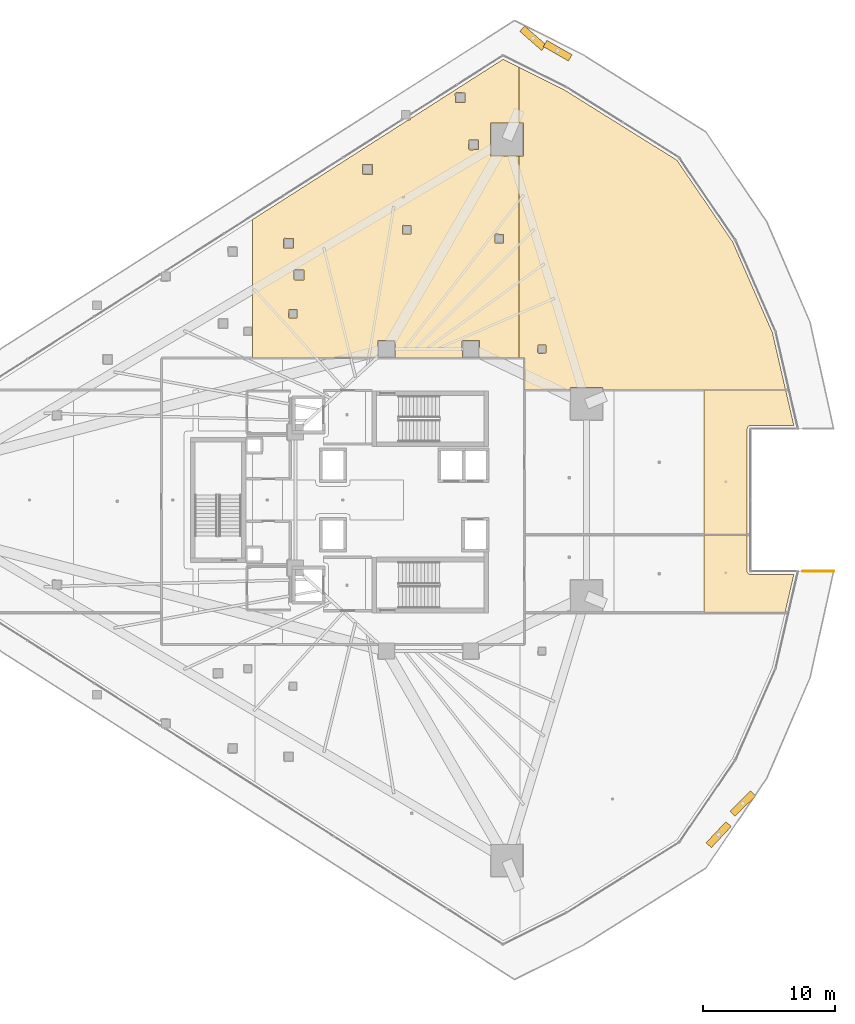
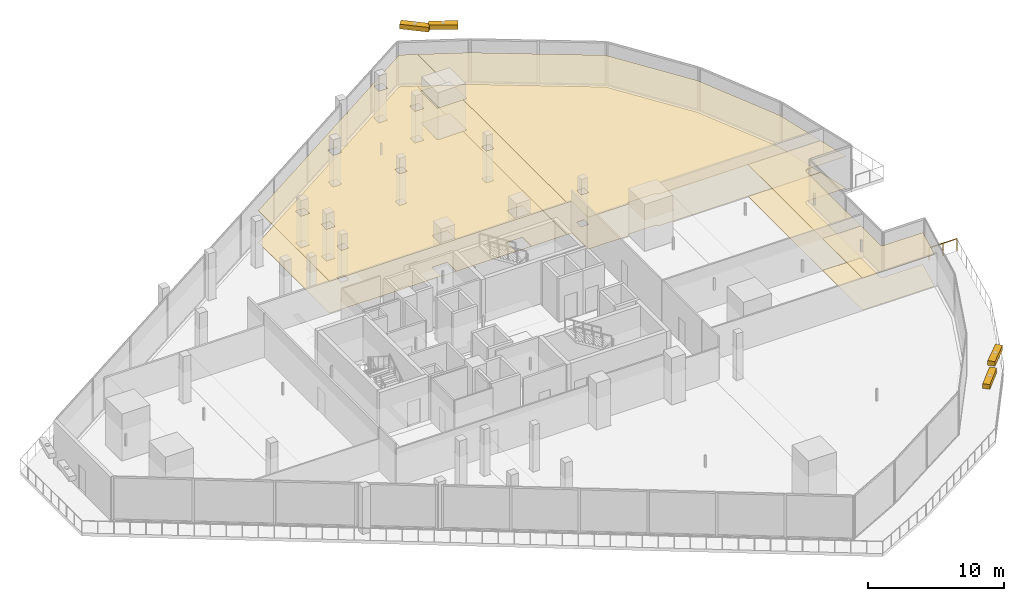
# One storey, part 42 of 42: 8 coverings, 4 shading devices, 1 railing.
"""IFC4 building model written with IfcOpenShell, lengths in metres."""

from ifc_helpers import new_model, si_unit, direction, frame, origin, origin_2d, place, context, subcontext, project, spatial, polyline, rectangle, circle, outline, extrude, material, layer, layer_set, type_object, element, save


model = new_model("IFC4")

# Units and contexts
model_context = context("Model", 3, precision=1e-05, world=origin(), true_north=direction((0.0, 1.0)))
body_context = subcontext(model_context, "Body", "Model", "MODEL_VIEW")
ifc_project = project(units=[si_unit("LENGTHUNIT", "METRE"), si_unit("AREAUNIT", "SQUARE_METRE"), si_unit("VOLUMEUNIT", "CUBIC_METRE"), si_unit("PLANEANGLEUNIT", "RADIAN"), si_unit("MASSUNIT", "GRAM", prefix="KILO")], contexts=[model_context])

# Site, building, storey
site_placement = place(None, origin())
site = spatial("IfcSite", under=ifc_project, at=site_placement, CompositionType="ELEMENT")
building_placement = place(site_placement, origin())
building = spatial("IfcBuilding", under=site, at=building_placement, Name="Qorvath Tower", CompositionType="ELEMENT")
storey_placement = place(building_placement, frame((0.0, 0.0, 32.39990234375)))
storey = spatial("IfcBuildingStorey", under=building, at=storey_placement, Name="L06", CompositionType="ELEMENT", Elevation=32.39990234375)

# Coverings
ifc_material_1 = material(Name="Acoustic mineral fibre ceiling tile", Category="gypsum")
ifc_layer_1 = layer(ifc_material_1, 0.030029296875)
ifc_layer_set_1 = layer_set([ifc_layer_1], Name="COV-CEIL")
covering_type_1 = type_object("IfcCoveringType", Name="COV-CEIL", PredefinedType="CEILING", material=ifc_layer_set_1)
covering_1_placement = place(storey_placement, frame((0.0, 0.0, 2.85009765625)))
element("IfcCovering", 1, at=covering_1_placement, inside=storey, type_object=covering_type_1, Name="L06 Suspended Acoustic Ceiling 011", PredefinedType="CEILING", context=body_context, shape_type="SweptSolid", body=[
    extrude(outline(polyline([(-21.806396484375, 28.820556640625), (-21.92626953125, 28.820556640625), (-33.744140625, 21.267578125), (-33.744140625, 10.762939453125), (-13.540771484375, 10.762939453125), (-13.540771484375, 26.0859375), (-15.664306640625, 26.07080078125), (-15.724365234375, 26.130615234375), (-15.706787109375, 28.5732421875), (-13.540771484375, 28.5732421875), (-13.540771484375, 32.800537109375), (-14.751708984375, 33.406005859375), (-21.746337890625, 28.935546875), (-21.806396484375, 28.820556640625)]), holes=[polyline([(-15.381103515625, 20.093017578125), (-15.321044921875, 20.153076171875), (-14.728759765625, 20.135498046875), (-14.728759765625, 19.500732421875), (-15.363525390625, 19.500732421875), (-15.381103515625, 20.093017578125)]), polyline([(-17.860107421875, 12.050048828125), (-17.800048828125, 12.110107421875), (-16.5576171875, 12.092529296875), (-16.5576171875, 10.8076171875), (-17.842529296875, 10.8076171875), (-17.860107421875, 12.050048828125)]), polyline([(-17.3662109375, 26.604248046875), (-17.3486328125, 27.296630859375), (-16.61376953125, 27.296630859375), (-16.61376953125, 26.561767578125), (-17.30615234375, 26.544189453125), (-17.3662109375, 26.604248046875)]), polyline([(-18.385009765625, 30.824951171875), (-18.324951171875, 30.885009765625), (-17.632568359375, 30.867431640625), (-17.632568359375, 30.132568359375), (-18.367431640625, 30.132568359375), (-18.385009765625, 30.824951171875)]), polyline([(-22.38818359375, 20.77001953125), (-22.328125, 20.829833984375), (-21.73583984375, 20.812255859375), (-21.73583984375, 20.177490234375), (-22.37060546875, 20.177490234375), (-22.38818359375, 20.77001953125)]), polyline([(-24.260009765625, 10.85009765625), (-24.242431640625, 12.092529296875), (-22.95751953125, 12.092529296875), (-22.95751953125, 10.8076171875), (-24.199951171875, 10.7900390625), (-24.260009765625, 10.85009765625)]), polyline([(-25.422607421875, 24.73388671875), (-25.405029296875, 25.42626953125), (-24.670166015625, 25.42626953125), (-24.670166015625, 24.69140625), (-25.362548828125, 24.673828125), (-25.422607421875, 24.73388671875)]), polyline([(-30.60986328125, 16.734619140625), (-30.59228515625, 17.427001953125), (-29.857421875, 17.427001953125), (-29.857421875, 16.692138671875), (-30.5498046875, 16.674560546875), (-30.60986328125, 16.734619140625)]), polyline([(-31.01220703125, 13.849365234375), (-30.99462890625, 14.441650390625), (-30.35986328125, 14.441650390625), (-30.35986328125, 13.806884765625), (-30.9521484375, 13.789306640625), (-31.01220703125, 13.849365234375)]), polyline([(-31.401123046875, 19.785400390625), (-31.341064453125, 19.845458984375), (-30.648681640625, 19.827880859375), (-30.648681640625, 19.093017578125), (-31.383544921875, 19.093017578125), (-31.401123046875, 19.785400390625)])]), origin(), (0.0, 0.0, 1.0), 0.030029296875),
])
covering_2_placement = place(storey_placement, frame((0.0, 0.0, 2.85009765625)))
element("IfcCovering", 2, at=covering_2_placement, inside=storey, type_object=covering_type_1, Name="L06 Suspended Acoustic Ceiling 012", PredefinedType="CEILING", context=body_context, shape_type="SweptSolid", body=[
    extrude(outline(polyline([(-13.540771484375, 32.800537109375), (-13.540771484375, 28.5732421875), (-13.221923828125, 28.5732421875), (-13.221923828125, 26.08837890625), (-13.540771484375, 26.0859375), (-13.540771484375, 10.762939453125), (-13.14208984375, 10.762939453125), (-13.136962890625, 8.35498046875), (-9.690185546875, 8.35498046875), (-9.63037109375, 8.536376953125), (-7.230224609375, 8.536376953125), (-7.17041015625, 8.35498046875), (6.662353515625, 8.35498046875), (5.663818359375, 12.689453125), (2.6494140625, 19.57373046875), (-1.571533203125, 25.755859375), (-10.07763671875, 31.069091796875), (-13.540771484375, 32.800537109375)]), holes=[polyline([(-12.135009765625, 11.175048828125), (-12.117431640625, 11.767333984375), (-11.482666015625, 11.767333984375), (-11.482666015625, 11.132568359375), (-12.074951171875, 11.114990234375), (-12.135009765625, 11.175048828125)])]), origin(), (0.0, 0.0, 1.0), 0.030029296875),
])
covering_3_placement = place(storey_placement, frame((0.0, 0.0, 2.85009765625)))
element("IfcCovering", 3, at=covering_3_placement, inside=storey, type_object=covering_type_1, Name="L06 Suspended Acoustic Ceiling 018", PredefinedType="CEILING", context=body_context, shape_type="SweptSolid", body=[
    extrude(outline(polyline([(3.808837890625, 5.562744140625), (3.93212890625, 5.644287109375), (7.284423828125, 5.655029296875), (6.66650390625, 8.3369140625), (0.477294921875, 8.3369140625), (0.477294921875, -2.6298828125), (3.749755859375, -2.6298828125), (3.749755859375, 5.39990234375), (3.808837890625, 5.562744140625)])), origin(), (0.0, 0.0, 1.0), 0.030029296875),
])
covering_4_placement = place(storey_placement, frame((0.0, 0.0, 2.85009765625)))
element("IfcCovering", 4, at=covering_4_placement, inside=storey, type_object=covering_type_1, Name="L06 Suspended Acoustic Ceiling 021", PredefinedType="CEILING", context=body_context, shape_type="SweptSolid", body=[
    extrude(outline(polyline([(3.841796875, -5.595703125), (3.754638671875, -5.44873046875), (3.749755859375, -2.64794921875), (0.477294921875, -2.64794921875), (0.477294921875, -8.537109375), (6.620361328125, -8.537109375), (7.284423828125, -5.655029296875), (3.980224609375, -5.65380859375), (3.841796875, -5.595703125)])), origin(), (0.0, 0.0, 1.0), 0.030029296875),
])
ifc_material_2 = material(Name="Low-VOC modular carpet tile", Category="textile")
ifc_layer_2 = layer(ifc_material_2, 0.014892578125)
ifc_layer_set_2 = layer_set([ifc_layer_2], Name="COV-FLOOR-CPT")
covering_type_2 = type_object("IfcCoveringType", Name="COV-FLOOR-CPT", PredefinedType="FLOORING", material=ifc_layer_set_2)
covering_5_placement = place(storey_placement, origin())
element("IfcCovering", 5, at=covering_5_placement, inside=storey, type_object=covering_type_2, Name="L06 Floor Finish 011", PredefinedType="FLOORING", context=body_context, shape_type="SweptSolid", body=[
    extrude(outline(polyline([(-21.806396484375, 28.820556640625), (-21.92626953125, 28.820556640625), (-33.744140625, 21.267578125), (-33.744140625, 10.762939453125), (-13.540771484375, 10.762939453125), (-13.540771484375, 26.0859375), (-15.664306640625, 26.07080078125), (-15.724365234375, 26.130615234375), (-15.706787109375, 28.5732421875), (-13.540771484375, 28.5732421875), (-13.540771484375, 32.800537109375), (-14.751708984375, 33.406005859375), (-21.746337890625, 28.935546875), (-21.806396484375, 28.820556640625)]), holes=[polyline([(-15.381103515625, 20.093017578125), (-15.321044921875, 20.153076171875), (-14.728759765625, 20.135498046875), (-14.728759765625, 19.500732421875), (-15.363525390625, 19.500732421875), (-15.381103515625, 20.093017578125)]), polyline([(-17.860107421875, 12.050048828125), (-17.800048828125, 12.110107421875), (-16.5576171875, 12.092529296875), (-16.5576171875, 10.8076171875), (-17.842529296875, 10.8076171875), (-17.860107421875, 12.050048828125)]), polyline([(-17.3662109375, 26.604248046875), (-17.3486328125, 27.296630859375), (-16.61376953125, 27.296630859375), (-16.61376953125, 26.561767578125), (-17.30615234375, 26.544189453125), (-17.3662109375, 26.604248046875)]), polyline([(-18.385009765625, 30.824951171875), (-18.324951171875, 30.885009765625), (-17.632568359375, 30.867431640625), (-17.632568359375, 30.132568359375), (-18.367431640625, 30.132568359375), (-18.385009765625, 30.824951171875)]), polyline([(-22.38818359375, 20.77001953125), (-22.328125, 20.829833984375), (-21.73583984375, 20.812255859375), (-21.73583984375, 20.177490234375), (-22.37060546875, 20.177490234375), (-22.38818359375, 20.77001953125)]), polyline([(-24.260009765625, 10.85009765625), (-24.242431640625, 12.092529296875), (-22.95751953125, 12.092529296875), (-22.95751953125, 10.8076171875), (-24.199951171875, 10.7900390625), (-24.260009765625, 10.85009765625)]), polyline([(-25.422607421875, 24.73388671875), (-25.405029296875, 25.42626953125), (-24.670166015625, 25.42626953125), (-24.670166015625, 24.69140625), (-25.362548828125, 24.673828125), (-25.422607421875, 24.73388671875)]), polyline([(-30.60986328125, 16.734619140625), (-30.59228515625, 17.427001953125), (-29.857421875, 17.427001953125), (-29.857421875, 16.692138671875), (-30.5498046875, 16.674560546875), (-30.60986328125, 16.734619140625)]), polyline([(-31.01220703125, 13.849365234375), (-30.99462890625, 14.441650390625), (-30.35986328125, 14.441650390625), (-30.35986328125, 13.806884765625), (-30.9521484375, 13.789306640625), (-31.01220703125, 13.849365234375)]), polyline([(-31.401123046875, 19.785400390625), (-31.341064453125, 19.845458984375), (-30.648681640625, 19.827880859375), (-30.648681640625, 19.093017578125), (-31.383544921875, 19.093017578125), (-31.401123046875, 19.785400390625)])]), origin(), (0.0, 0.0, 1.0), 0.01513671875),
])
covering_6_placement = place(storey_placement, origin())
element("IfcCovering", 6, at=covering_6_placement, inside=storey, type_object=covering_type_2, Name="L06 Floor Finish 012", PredefinedType="FLOORING", context=body_context, shape_type="SweptSolid", body=[
    extrude(outline(polyline([(-13.540771484375, 32.800537109375), (-13.540771484375, 28.5732421875), (-13.221923828125, 28.5732421875), (-13.221923828125, 26.08837890625), (-13.540771484375, 26.0859375), (-13.540771484375, 10.762939453125), (-13.14208984375, 10.762939453125), (-13.136962890625, 8.35498046875), (-9.690185546875, 8.35498046875), (-9.63037109375, 8.536376953125), (-7.230224609375, 8.536376953125), (-7.17041015625, 8.35498046875), (6.662353515625, 8.35498046875), (5.663818359375, 12.689453125), (2.6494140625, 19.57373046875), (-1.571533203125, 25.755859375), (-10.07763671875, 31.069091796875), (-13.540771484375, 32.800537109375)]), holes=[polyline([(-12.135009765625, 11.175048828125), (-12.117431640625, 11.767333984375), (-11.482666015625, 11.767333984375), (-11.482666015625, 11.132568359375), (-12.074951171875, 11.114990234375), (-12.135009765625, 11.175048828125)])]), origin(), (0.0, 0.0, 1.0), 0.01513671875),
])
covering_7_placement = place(storey_placement, origin())
element("IfcCovering", 7, at=covering_7_placement, inside=storey, type_object=covering_type_2, Name="L06 Floor Finish 018", PredefinedType="FLOORING", context=body_context, shape_type="SweptSolid", body=[
    extrude(outline(polyline([(3.808837890625, 5.562744140625), (3.93212890625, 5.644287109375), (7.284423828125, 5.655029296875), (6.66650390625, 8.3369140625), (0.477294921875, 8.3369140625), (0.477294921875, -2.6298828125), (3.749755859375, -2.6298828125), (3.749755859375, 5.39990234375), (3.808837890625, 5.562744140625)])), origin(), (0.0, 0.0, 1.0), 0.01513671875),
])
covering_8_placement = place(storey_placement, origin())
element("IfcCovering", 8, at=covering_8_placement, inside=storey, type_object=covering_type_2, Name="L06 Floor Finish 021", PredefinedType="FLOORING", context=body_context, shape_type="SweptSolid", body=[
    extrude(outline(polyline([(3.841796875, -5.595703125), (3.754638671875, -5.44873046875), (3.749755859375, -2.64794921875), (0.477294921875, -2.64794921875), (0.477294921875, -8.537109375), (6.620361328125, -8.537109375), (7.284423828125, -5.655029296875), (3.980224609375, -5.65380859375), (3.841796875, -5.595703125)])), origin(), (0.0, 0.0, 1.0), 0.01513671875),
])

# Railing
ifc_material_3 = material(Name="Laminated safety glass and stainless steel AISI 316", Category="steel")
railing_type = type_object("IfcRailingType", Name="RL-EXT-GRD", PredefinedType="GUARDRAIL", material=ifc_material_3)
railing_placement = place(storey_placement, frame((7.954345703125, -5.39990234375, 0.0)))
element("IfcRailing", 9, at=railing_placement, inside=storey, type_object=railing_type, Name="Loggia Perimeter Guardrail L06-1.2", PredefinedType="GUARDRAIL", context=body_context, shape_type="SweptSolid", body=[
    extrude(circle(Radius=0.02392578125, at=origin_2d()), frame((0.0, 0.0, 1.09619140625), z_axis=(1.0, 0.0, 0.0), x_axis=(0.0, 1.0, 0.0)), (0.0, 0.0, 1.0), 2.366455078125),
    extrude(circle(Radius=0.02099609375, at=origin_2d()), origin(), (0.0, 0.0, 1.0), 1.072021484375),
    extrude(circle(Radius=0.02099609375, at=origin_2d()), frame((1.18310546875, 0.0, 0.0)), (0.0, 0.0, 1.0), 1.072021484375),
    extrude(circle(Radius=0.02099609375, at=origin_2d()), frame((2.366455078125, 0.0, 0.0)), (0.0, 0.0, 1.0), 1.072021484375),
])

# Shading devices
ifc_material_4 = material(Name="Anodised bronze-champagne aluminium", Category="aluminium")
shading_device_type = type_object("IfcShadingDeviceType", Name="SD-LOUVRE", PredefinedType="JALOUSIE", material=ifc_material_4)
for number, where, z_axis, x_axis, name in (
    (10, (1.5888671875, -25.371337890625, 3.500244140625), (0.0, 0.0, 1.0), (0.683922160126, 0.729554986885, 0.0), "Sinusoidal Wave Louvre Blade L06-03"),
    (11, (3.417236328125, -23.01416015625, 3.500244140625), (0.0, 0.0, 1.0), (0.708693326617, 0.705516667988, 0.0), "Sinusoidal Wave Louvre Blade L06-04"),
    (12, (-10.614990234375, 34.060302734375, 3.500244140625), (0.0, 0.0, 1.0), (-0.869330221779, 0.494231692126, 0.0), "Sinusoidal Wave Louvre Blade L06-05"),
    (13, (-12.479736328125, 35.006591796875, 3.500244140625), (0.0, 0.0, 1.0), (-0.751401195805, 0.659845620538, 0.0), "Sinusoidal Wave Louvre Blade L06-06"),
):
    element("IfcShadingDevice", number, at=place(storey_placement, frame(where, z_axis=z_axis, x_axis=x_axis)), inside=storey, type_object=shading_device_type, Name=name, PredefinedType="NOTDEFINED", context=body_context, shape_type="SweptSolid", body=[
        extrude(rectangle(XDim=2.199951171875, YDim=0.550048828125, at=origin_2d()), origin(), (0.0, 0.0, 1.0), 0.419921875),
    ])

save(model, "model.ifc")
